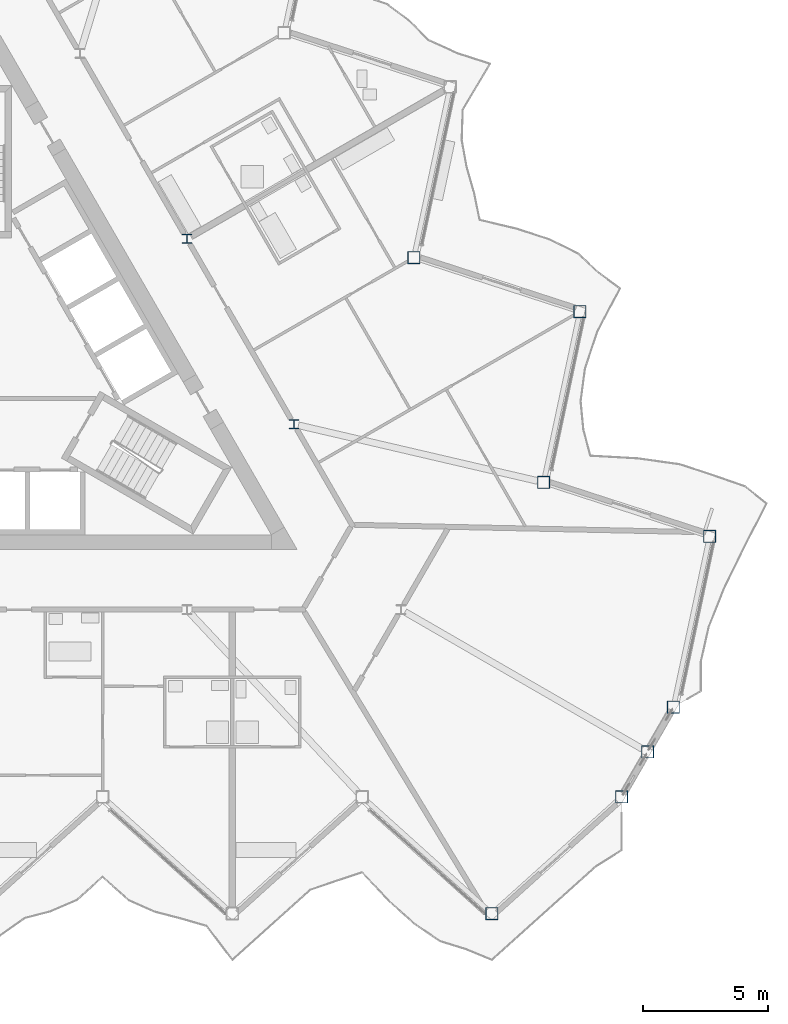
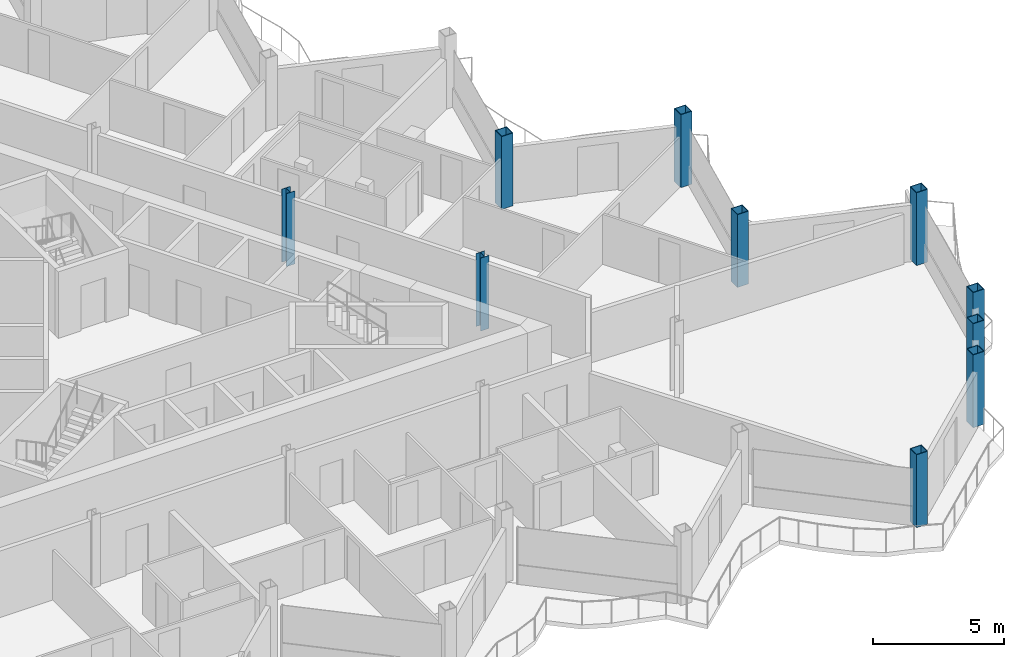
# One storey, part 2 of 25: 10 columns.
"""IFC4 building model written with IfcOpenShell, lengths in metres."""

from ifc_helpers import new_model, si_unit, direction, frame, origin, origin_2d, place, context, subcontext, project, spatial, hollow_rectangle, i_section, extrude, material, material_profile, profile_set, type_object, element, save


model = new_model("IFC4")

# Units and contexts
model_context = context("Model", 3, precision=1e-05, world=origin(), true_north=direction((0.0, 1.0)))
body_context = subcontext(model_context, "Body", "Model", "MODEL_VIEW")
ifc_project = project(units=[si_unit("LENGTHUNIT", "METRE"), si_unit("AREAUNIT", "SQUARE_METRE"), si_unit("VOLUMEUNIT", "CUBIC_METRE"), si_unit("PLANEANGLEUNIT", "RADIAN"), si_unit("MASSUNIT", "GRAM", prefix="KILO")], contexts=[model_context])

# Site, building, storey
site_placement = place(None, origin())
site = spatial("IfcSite", under=ifc_project, at=site_placement, CompositionType="ELEMENT")
building_placement = place(site_placement, origin())
building = spatial("IfcBuilding", under=site, at=building_placement, Name="Cormorant Prow Tower", CompositionType="ELEMENT")
storey_placement = place(building_placement, frame((0.0, 0.0, 391.60009765625)))
storey = spatial("IfcBuildingStorey", under=building, at=storey_placement, Name="L89", CompositionType="ELEMENT", Elevation=391.60009765625)

# Columns
ifc_material_1 = material(Name="Structural steel ASTM A572 Gr 50", Category="steel")
ifc_material_profile_1 = material_profile(ifc_material_1, hollow_rectangle(XDim=0.5, YDim=0.5, WallThickness=0.030029296875, at=origin_2d()), Name="Box 500x500x30")
ifc_profile_set_1 = profile_set([ifc_material_profile_1], Name="Structural steel ASTM A572 Gr 50")
column_type_1 = type_object("IfcColumnType", Name="Perimeter box column 500x500x30", PredefinedType="COLUMN", material=ifc_profile_set_1)
for number, where, z_axis, x_axis, name in (
    (1, (20.800048828125, -22.087890625, 0.0), (0.0, 0.0, 1.0), (1.0, 0.0, 0.0), "Perimeter column C7 at S09 L89"),
    (2, (26.0, -17.40576171875, 0.0), (0.0, 0.0, 1.0), (1.0, 0.0, 0.0), "Perimeter column C7 at ESE00 L89"),
    (3, (27.036865234375, -15.60986328125, 0.0), (0.0, 0.0, 1.0), (1.0, 0.0, 0.0), "Perimeter column C7 at ESE01 L89"),
    (4, (28.07373046875, -13.813720703125, 0.0), (0.0, 0.0, 1.0), (1.0, 0.0, 0.0), "Perimeter column C7 at ENE00 L89"),
    (5, (29.528564453125, -6.969482421875, 0.0), (0.0, 0.0, 1.0), (1.0, 0.0, 0.0), "Perimeter column C7 at ENE01 L89"),
    (6, (22.873779296875, -4.80712890625, 0.0), (0.0, 0.0, 1.0), (1.0, 0.0, 0.0), "Perimeter column C7 at ENE02 L89"),
    (7, (24.32861328125, 2.037353515625, 0.0), (0.0, 0.0, 1.0), (1.0, 0.0, 0.0), "Perimeter column C7 at ENE03 L89"),
    (8, (17.673828125, 4.199462890625, 0.0), (0.0, 0.0, 1.0), (1.0, 0.0, 0.0), "Perimeter column C7 at ENE04 L89"),
):
    element("IfcColumn", number, at=place(storey_placement, frame(where, z_axis=z_axis, x_axis=x_axis)), inside=storey, type_object=column_type_1, Name=name, PredefinedType="COLUMN", context=body_context, shape_type="SweptSolid", body=[
        extrude(hollow_rectangle(XDim=0.5, YDim=0.5, WallThickness=0.030029296875, at=origin_2d()), origin(), (0.0, 0.0, 1.0), 3.39990234375),
    ])
ifc_material_2 = material(Name="Structural steel ASTM A992 Gr 50", Category="steel")
ifc_material_profile_2 = material_profile(ifc_material_2, i_section(OverallWidth=0.3740234375, OverallDepth=0.372314453125, WebThickness=0.016357421875, FlangeThickness=0.026123046875, at=origin_2d()), Name="W14x132")
ifc_profile_set_2 = profile_set([ifc_material_profile_2], Name="Structural steel ASTM A992 Gr 50")
column_type_2 = type_object("IfcColumnType", Name="Ring column W14x132", PredefinedType="COLUMN", material=ifc_profile_set_2)
for number, where, z_axis, x_axis, name in (
    (9, (12.86767578125, -2.476318359375, 0.0), (0.0, 0.0, 1.0), (1.0, 0.0, 0.0), "Ring column 10 L89"),
    (10, (8.578369140625, 4.952880859375, 0.0), (0.0, 0.0, 1.0), (1.0, 0.0, 0.0), "Ring column 11 L89"),
):
    element("IfcColumn", number, at=place(storey_placement, frame(where, z_axis=z_axis, x_axis=x_axis)), inside=storey, type_object=column_type_2, Name=name, PredefinedType="COLUMN", context=body_context, shape_type="SweptSolid", body=[
        extrude(i_section(OverallWidth=0.3740234375, OverallDepth=0.372314453125, WebThickness=0.016357421875, FlangeThickness=0.026123046875, at=origin_2d()), origin(), (0.0, 0.0, 1.0), 3.39990234375),
    ])

save(model, "model.ifc")
